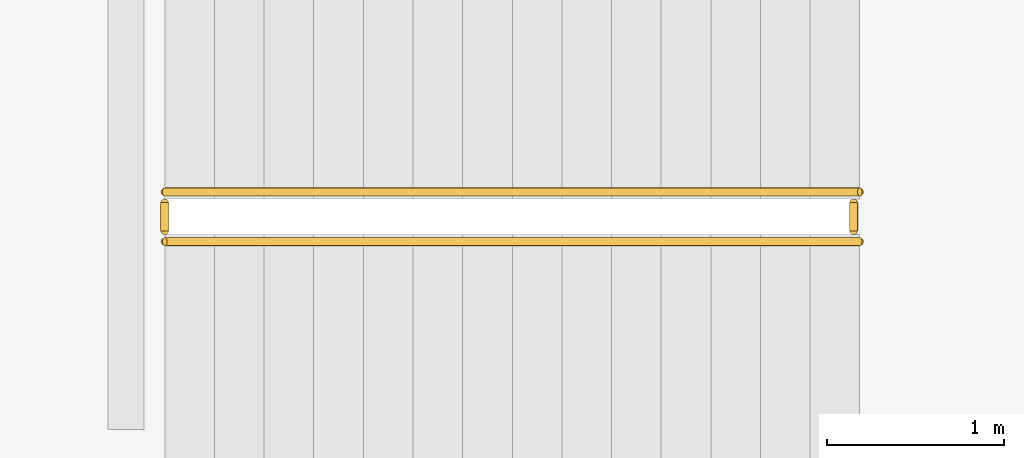
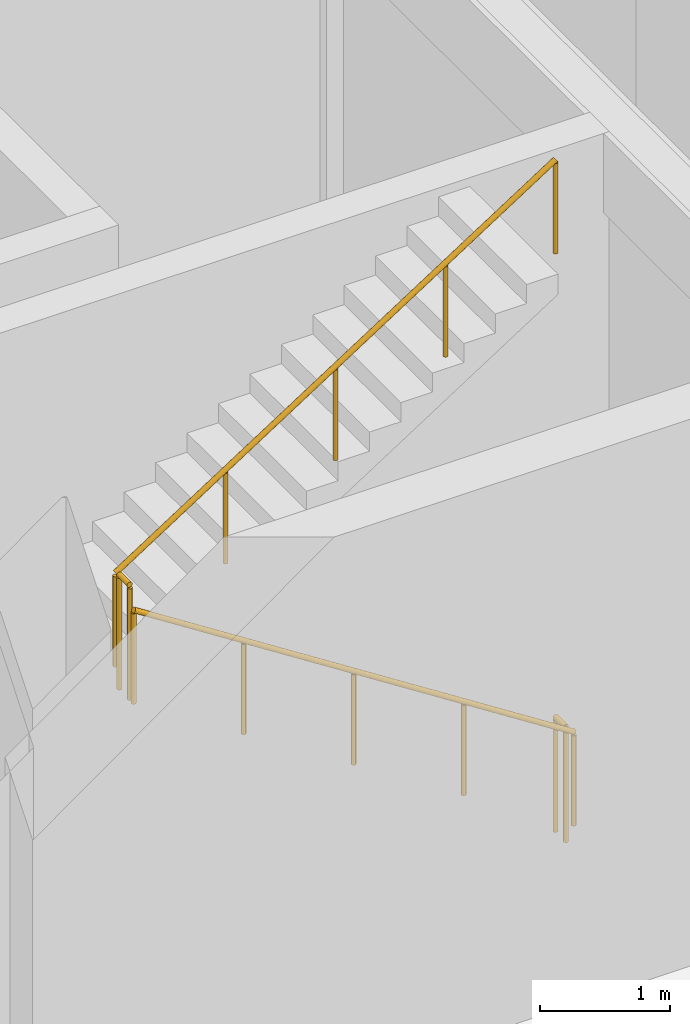
# One storey, part 42 of 46: 4 railings.
"""IFC4 building model written with IfcOpenShell, lengths in metres."""

from ifc_helpers import new_model, si_unit, direction, frame, origin, origin_2d, place, context, subcontext, project, spatial, circle, extrude, material, type_object, element, save


model = new_model("IFC4")

# Units and contexts
model_context = context("Model", 3, precision=1e-05, world=origin(), true_north=direction((0.0, 1.0)))
body_context = subcontext(model_context, "Body", "Model", "MODEL_VIEW")
ifc_project = project(units=[si_unit("LENGTHUNIT", "METRE"), si_unit("AREAUNIT", "SQUARE_METRE"), si_unit("VOLUMEUNIT", "CUBIC_METRE"), si_unit("PLANEANGLEUNIT", "RADIAN"), si_unit("MASSUNIT", "GRAM", prefix="KILO")], contexts=[model_context])

# Site, building, storey
site_placement = place(None, origin())
site = spatial("IfcSite", under=ifc_project, at=site_placement, CompositionType="ELEMENT")
building_placement = place(site_placement, origin())
building = spatial("IfcBuilding", under=site, at=building_placement, Name="Cinchona Park Media Centre", CompositionType="ELEMENT")
storey_placement = place(building_placement, origin())
storey = spatial("IfcBuildingStorey", under=building, at=storey_placement, Name="L00", CompositionType="ELEMENT", Elevation=0.0)

# Railings
ifc_material_1 = material(Name="Painted Steel Stairwell Guardrail", Category="steel")
railing_type_1 = type_object("IfcRailingType", Name="RAILING-GR02", PredefinedType="GUARDRAIL", material=ifc_material_1)
for number, where, name in (
    (1, (13.864990234375, 103.719970703125, 0.0), "Stairwell Guardrail GR02 ST4 L00"),
    (2, (9.97998046875, 103.719970703125, 2.699951171875), "Half-Landing Guardrail GR02 ST4 L00"),
):
    element("IfcRailing", number, at=place(storey_placement, frame(where)), inside=storey, type_object=railing_type_1, Name=name, PredefinedType="GUARDRAIL", context=body_context, shape_type="SweptSolid", body=[
        extrude(circle(Radius=0.02392578125, at=origin_2d()), frame((0.0, 0.0, 1.076171875), z_axis=(0.0, 1.0, 0.0), x_axis=(-1.0, 0.0, 0.0)), (0.0, 0.0, 1.0), 0.159912109375),
        extrude(circle(Radius=0.02099609375, at=origin_2d()), origin(), (0.0, 0.0, 1.0), 1.052001953125),
        extrude(circle(Radius=0.02099609375, at=origin_2d()), frame((0.0, 0.159912109375, 0.0)), (0.0, 0.0, 1.0), 1.052001953125),
    ])
ifc_material_2 = material(Name="Brushed Stainless Steel Handrail", Category="steel")
railing_type_2 = type_object("IfcRailingType", Name="RAILING-HR01", PredefinedType="HANDRAIL", material=ifc_material_2)
railing_1_placement = place(storey_placement, frame((13.89990234375, 103.659912109375, 0.179931640625)))
element("IfcRailing", 3, at=railing_1_placement, inside=storey, type_object=railing_type_2, Name="Stair Handrail HR01 ST4 L00 F1", PredefinedType="HANDRAIL", context=body_context, shape_type="SweptSolid", body=[
    extrude(circle(Radius=0.02392578125, at=origin_2d()), frame((0.0, 0.0, 0.8759765625), z_axis=(-0.841171666519, 0.0, 0.540768182723), x_axis=(0.0, -1.0, 0.0)), (0.0, 0.0, 1.0), 4.66015625),
    extrude(circle(Radius=0.02099609375, at=origin_2d()), origin(), (0.0, 0.0, 1.0), 0.851806640625),
    extrude(circle(Radius=0.02099609375, at=origin_2d()), frame((-0.97998046875, 0.0, 0.6298828125)), (0.0, 0.0, 1.0), 0.851806640625),
    extrude(circle(Radius=0.02099609375, at=origin_2d()), frame((-1.9599609375, 0.0, 1.260009765625)), (0.0, 0.0, 1.0), 0.851806640625),
    extrude(circle(Radius=0.02099609375, at=origin_2d()), frame((-2.93994140625, 0.0, 1.89013671875)), (0.0, 0.0, 1.0), 0.851806640625),
    extrude(circle(Radius=0.02099609375, at=origin_2d()), frame((-3.919921875, 0.0, 2.52001953125)), (0.0, 0.0, 1.0), 0.851806640625),
])
railing_2_placement = place(storey_placement, frame((9.97998046875, 103.93994140625, 2.8798828125)))
element("IfcRailing", 4, at=railing_2_placement, inside=storey, type_object=railing_type_2, Name="Stair Handrail HR01 ST4 L00 F2", PredefinedType="HANDRAIL", context=body_context, shape_type="SweptSolid", body=[
    extrude(circle(Radius=0.02392578125, at=origin_2d()), frame((0.0, 0.0, 0.8759765625), z_axis=(0.841171666519, 0.0, 0.540768182723), x_axis=(0.0, 1.0, 0.0)), (0.0, 0.0, 1.0), 4.66015625),
    extrude(circle(Radius=0.02099609375, at=origin_2d()), origin(), (0.0, 0.0, 1.0), 0.851806640625),
    extrude(circle(Radius=0.02099609375, at=origin_2d()), frame((0.97998046875, 0.0, 0.6298828125)), (0.0, 0.0, 1.0), 0.851806640625),
    extrude(circle(Radius=0.02099609375, at=origin_2d()), frame((1.9599609375, 0.0, 1.260009765625)), (0.0, 0.0, 1.0), 0.851806640625),
    extrude(circle(Radius=0.02099609375, at=origin_2d()), frame((2.93994140625, 0.0, 1.89013671875)), (0.0, 0.0, 1.0), 0.851806640625),
    extrude(circle(Radius=0.02099609375, at=origin_2d()), frame((3.919921875, 0.0, 2.52001953125)), (0.0, 0.0, 1.0), 0.851806640625),
])

save(model, "model.ifc")
